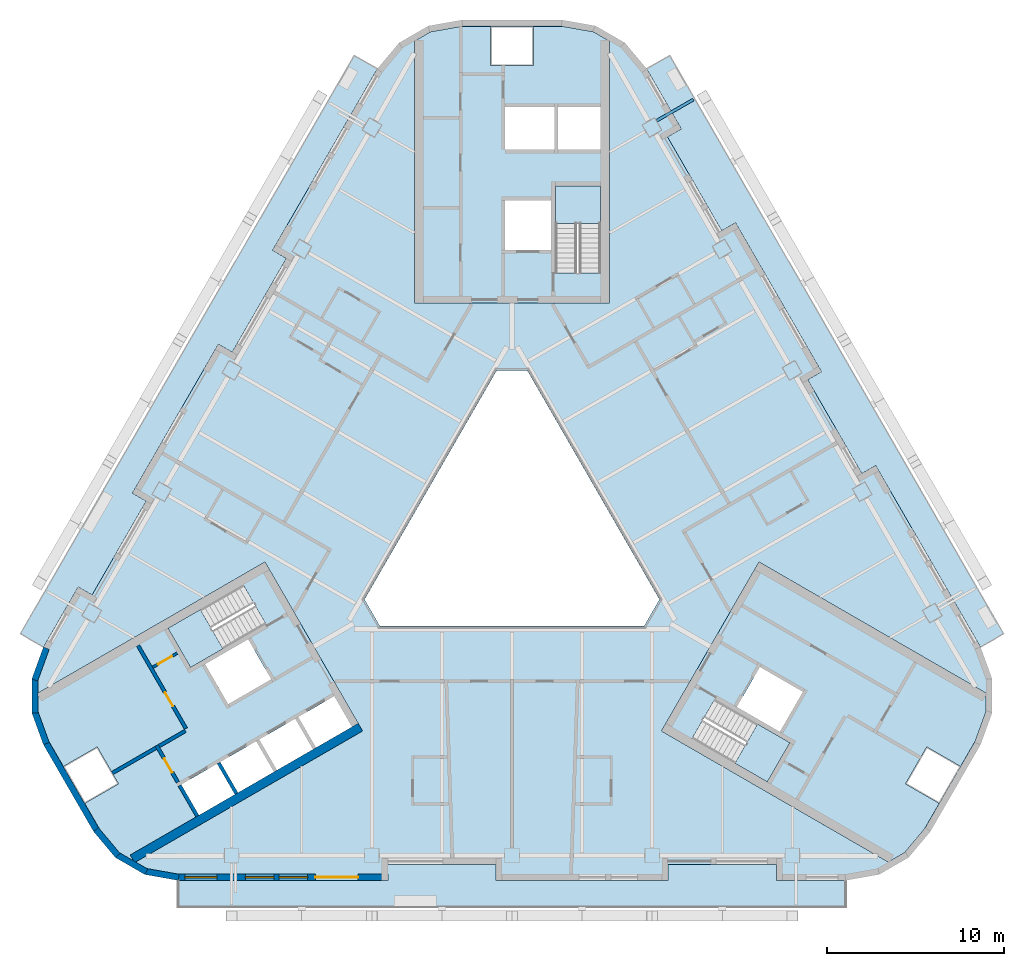
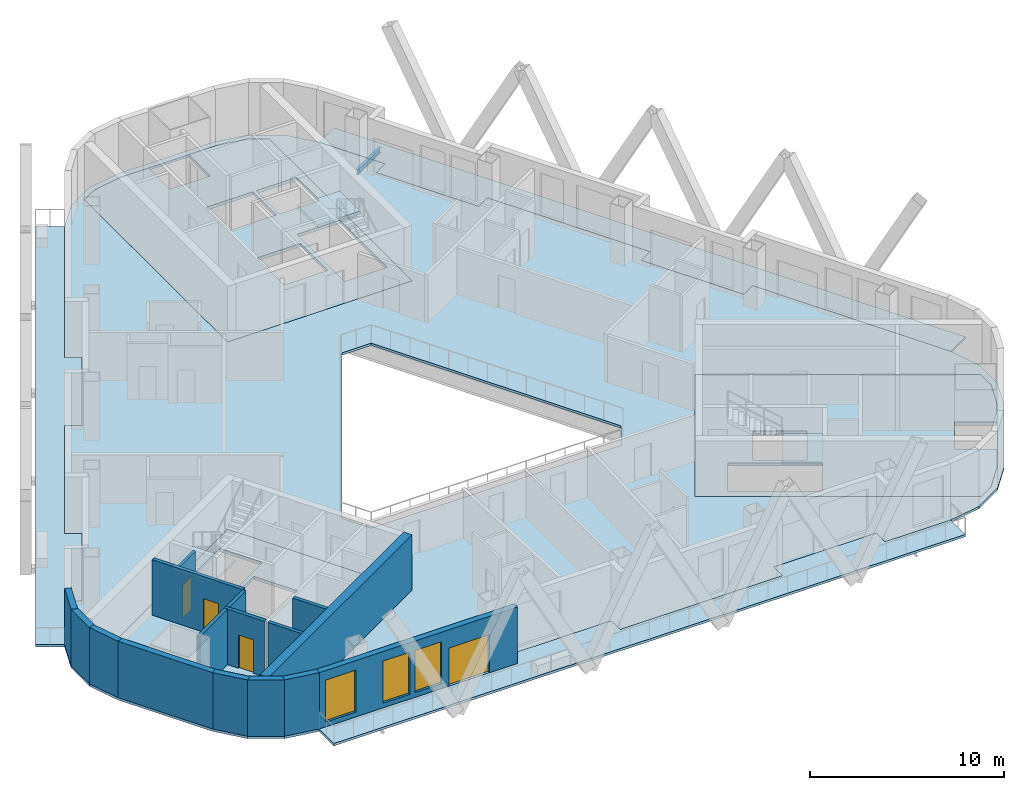
# One storey, part 2 of 13: 16 walls, 10 slabs, 4 doors, 3 windows, 1 beam, 7 openings, 3 elements without a shape of their own.
"""IFC4 building model written with IfcOpenShell, lengths in metres."""

from ifc_helpers import new_model, si_unit, direction, frame, frame_2d, origin, origin_2d, place, context, subcontext, project, spatial, polyline, rectangle, i_section, outline, extrude, material, layer, layer_set, material_profile, profile_set, type_object, element, fill, aggregate, save


model = new_model("IFC4")

# Units and contexts
model_context = context("Model", 3, precision=1e-05, world=origin(), true_north=direction((0.0, 1.0)))
body_context = subcontext(model_context, "Body", "Model", "MODEL_VIEW")
ifc_project = project(units=[si_unit("LENGTHUNIT", "METRE"), si_unit("AREAUNIT", "SQUARE_METRE"), si_unit("VOLUMEUNIT", "CUBIC_METRE"), si_unit("PLANEANGLEUNIT", "RADIAN"), si_unit("MASSUNIT", "GRAM", prefix="KILO")], contexts=[model_context])

# Site, building, storey
site_placement = place(None, origin())
site = spatial("IfcSite", under=ifc_project, at=site_placement, CompositionType="ELEMENT")
building_placement = place(site_placement, origin())
building = spatial("IfcBuilding", under=site, at=building_placement, Name="Apuvela Tower Hotel", CompositionType="ELEMENT")
storey_placement = place(building_placement, frame((0.0, 0.0, 183.60009765625)))
storey = spatial("IfcBuildingStorey", under=building, at=storey_placement, Name="L44", CompositionType="ELEMENT", Elevation=183.60009765625)

# Beam
ifc_material_1 = material(Name="Steel S355", Category="steel")
ifc_material_profile = material_profile(ifc_material_1, i_section(OverallWidth=0.159912109375, OverallDepth=0.330078125, WebThickness=0.007568359375, FlangeThickness=0.011474609375, at=origin_2d()), Name="IPE 330")
ifc_profile_set = profile_set([ifc_material_profile], Name="Steel S355")
beam_type = type_object("IfcBeamType", Name="ENV-BALCONY-BEAM-IPE330", PredefinedType="BEAM", material=ifc_profile_set)
beam_placement = place(storey_placement, frame((8.15576171875, 23.183837890625, -0.315185546875), z_axis=(0.866007538022, 0.500030943131, 0.0), x_axis=(-0.500030943131, 0.866007538022, 0.0)))
element("IfcBeam", 1, at=beam_placement, inside=storey, type_object=beam_type, Name="Balcony cantilever beam NE3 L44", PredefinedType="BEAM", context=body_context, shape_type="SweptSolid", body=[
    extrude(i_section(OverallWidth=0.159912109375, OverallDepth=0.330078125, WebThickness=0.007568359375, FlangeThickness=0.011474609375, at=origin_2d()), origin(), (0.0, 0.0, 1.0), 2.374755859375),
])

# Slabs
ifc_material_2 = material(Name="Concrete C50/60", Category="concrete")
ifc_layer_1 = layer(ifc_material_2, 0.199951171875)
ifc_layer_set_1 = layer_set([ifc_layer_1], Name="COR-FLOOR-200")
slab_type_1 = type_object("IfcSlabType", Name="COR-FLOOR-200", PredefinedType="FLOOR", material=ifc_layer_set_1)
slab_1_placement = place(storey_placement, frame((0.0, 0.0, -0.2001953125)))
element("IfcSlab", 2, at=slab_1_placement, inside=storey, type_object=slab_type_1, Name="Core floor N", PredefinedType="FLOOR", context=body_context, shape_type="SweptSolid", body=[
    extrude(outline(polyline([(5.5, 27.668212890625), (4.588623046875, 28.1943359375), (2.85498046875, 28.5), (1.199951171875, 28.5), (1.199951171875, 26.300048828125), (-1.199951171875, 26.300048828125), (-1.199951171875, 28.5), (-2.85498046875, 28.5), (-4.588623046875, 28.1943359375), (-5.5, 27.668212890625), (-5.5, 12.89990234375), (5.5, 12.89990234375), (5.5, 27.668212890625)]), holes=[polyline([(5.0, 14.60595703125), (2.449951171875, 14.60595703125), (2.449951171875, 19.5), (5.0, 19.5), (5.0, 14.60595703125)]), polyline([(2.199951171875, 15.89990234375), (-0.39990234375, 15.89990234375), (-0.39990234375, 18.699951171875), (2.199951171875, 18.699951171875), (2.199951171875, 15.89990234375)]), polyline([(5.0, 21.550048828125), (2.60009765625, 21.550048828125), (2.60009765625, 23.949951171875), (5.0, 23.949951171875), (5.0, 21.550048828125)]), polyline([(2.39990234375, 21.550048828125), (-0.39990234375, 21.550048828125), (-0.39990234375, 23.949951171875), (2.39990234375, 23.949951171875), (2.39990234375, 21.550048828125)])]), origin(), (0.0, 0.0, 1.0), 0.2001953125),
])
slab_2_placement = place(storey_placement, frame((0.0, 0.0, -0.2001953125)))
element("IfcSlab", 3, at=slab_2_placement, inside=storey, type_object=slab_type_1, Name="Core floor SW", PredefinedType="FLOOR", context=body_context, shape_type="SweptSolid", body=[
    extrude(outline(polyline([(-26.711181640625, -9.07080078125), (-26.711181640625, -10.123291015625), (-26.109375, -11.77734375), (-25.28173828125, -13.210693359375), (-23.37646484375, -12.11083984375), (-22.176513671875, -14.189208984375), (-24.081787109375, -15.289306640625), (-23.254150390625, -16.72265625), (-22.122802734375, -18.071044921875), (-21.211181640625, -18.59716796875), (-8.421630859375, -11.213134765625), (-13.921630859375, -1.68701171875), (-26.711181640625, -9.07080078125)]), holes=[polyline([(-10.01806640625, -9.248046875), (-9.01806640625, -10.97998046875), (-11.044677734375, -12.150146484375), (-12.044677734375, -10.418212890625), (-10.01806640625, -9.248046875)]), polyline([(-14.244384765625, -11.68798828125), (-12.2177734375, -10.51806640625), (-11.2177734375, -12.25), (-13.244384765625, -13.420166015625), (-14.244384765625, -11.68798828125)]), polyline([(-19.387451171875, -5.419921875), (-15.149169921875, -2.972900390625), (-13.874267578125, -5.18115234375), (-18.112548828125, -7.628173828125), (-19.387451171875, -5.419921875)]), polyline([(-14.869873046875, -6.044677734375), (-13.56982421875, -8.29638671875), (-15.99462890625, -9.6962890625), (-17.294677734375, -7.444580078125), (-14.869873046875, -6.044677734375)]), polyline([(-16.444091796875, -12.9580078125), (-14.41748046875, -11.7880859375), (-13.41748046875, -13.52001953125), (-15.444091796875, -14.690185546875), (-16.444091796875, -12.9580078125)]), polyline([(-18.643798828125, -14.22802734375), (-16.6171875, -13.05810546875), (-15.6171875, -14.7900390625), (-17.643798828125, -15.960205078125), (-18.643798828125, -14.22802734375)])]), origin(), (0.0, 0.0, 1.0), 0.2001953125),
])
slab_3_placement = place(storey_placement, frame((0.0, 0.0, -0.2001953125)))
element("IfcSlab", 4, at=slab_3_placement, inside=storey, type_object=slab_type_1, Name="Core floor SE", PredefinedType="FLOOR", context=body_context, shape_type="SweptSolid", body=[
    extrude(outline(polyline([(21.211181640625, -18.59716796875), (22.122802734375, -18.071044921875), (23.254150390625, -16.72265625), (24.081787109375, -15.289306640625), (22.176513671875, -14.189208984375), (23.37646484375, -12.11083984375), (25.28173828125, -13.210693359375), (26.109375, -11.77734375), (26.711181640625, -10.123291015625), (26.711181640625, -9.07080078125), (13.921630859375, -1.68701171875), (8.421630859375, -11.213134765625), (21.211181640625, -18.59716796875)]), holes=[polyline([(11.42431640625, -9.4248046875), (15.66259765625, -11.871826171875), (14.387451171875, -14.080078125), (10.149169921875, -11.633056640625), (11.42431640625, -9.4248046875)]), polyline([(13.9697265625, -7.603515625), (16.394775390625, -9.003662109375), (15.0947265625, -11.25537109375), (12.669921875, -9.855224609375), (13.9697265625, -7.603515625)])]), origin(), (0.0, 0.0, 1.0), 0.2001953125),
])

# Stair, slab
stair_type = type_object("IfcStairType", Name="COR-STAIR-22R", PredefinedType="HALF_TURN_STAIR", material=ifc_material_2)
stair_1_placement = place(storey_placement, origin())
stair_1 = element("IfcStair", 5, at=stair_1_placement, inside=storey, type_object=stair_type, Name="L44 Exit stair ST1", PredefinedType="HALF_TURN_STAIR")
ifc_layer_2 = layer(ifc_material_2, 0.199951171875)
ifc_layer_set_2 = layer_set([ifc_layer_2], Name="COR-LANDING-200")
slab_type_2 = type_object("IfcSlabType", Name="COR-LANDING-200", PredefinedType="LANDING", material=ifc_layer_set_2)
slab_4_placement = place(storey_placement, frame((0.0, 0.0, 1.64990234375)))
slab_4 = element("IfcSlab", 6, at=slab_4_placement, type_object=slab_type_2, Name="ST1 landing 1", PredefinedType="LANDING", context=body_context, shape_type="SweptSolid", body=[
    extrude(outline(polyline([(5.0, 17.39404296875), (5.0, 19.5), (2.449951171875, 19.5), (2.449951171875, 17.39404296875), (5.0, 17.39404296875)])), origin(), (0.0, 0.0, 1.0), 0.199951171875),
])
aggregate(stair_1, [slab_4])

stair_2_placement = place(storey_placement, origin())
stair_2 = element("IfcStair", 7, at=stair_2_placement, inside=storey, type_object=stair_type, Name="L44 Exit stair ST2", PredefinedType="HALF_TURN_STAIR")
slab_5_placement = place(storey_placement, frame((0.0, 0.0, 1.64990234375)))
slab_5 = element("IfcSlab", 8, at=slab_5_placement, type_object=slab_type_2, Name="ST2 landing 1", PredefinedType="LANDING", context=body_context, shape_type="SweptSolid", body=[
    extrude(outline(polyline([(-17.563720703125, -4.366943359375), (-19.387451171875, -5.419921875), (-18.112548828125, -7.628173828125), (-16.28857421875, -6.5751953125), (-17.563720703125, -4.366943359375)])), origin(), (0.0, 0.0, 1.0), 0.199951171875),
])
aggregate(stair_2, [slab_5])

stair_3_placement = place(storey_placement, origin())
stair_3 = element("IfcStair", 9, at=stair_3_placement, inside=storey, type_object=stair_type, Name="L44 Exit stair ST3", PredefinedType="HALF_TURN_STAIR")
slab_6_placement = place(storey_placement, frame((0.0, 0.0, 1.64990234375)))
slab_6 = element("IfcSlab", 10, at=slab_6_placement, type_object=slab_type_2, Name="ST3 landing 1", PredefinedType="LANDING", context=body_context, shape_type="SweptSolid", body=[
    extrude(outline(polyline([(12.563720703125, -13.027099609375), (14.387451171875, -14.080078125), (15.66259765625, -11.871826171875), (13.838623046875, -10.81884765625), (12.563720703125, -13.027099609375)])), origin(), (0.0, 0.0, 1.0), 0.199951171875),
])
aggregate(stair_3, [slab_6])

# Slabs
ifc_material_3 = material(Name="Concrete C40/50, fair-faced", Category="concrete")
ifc_layer_3 = layer(ifc_material_3, 0.14990234375)
ifc_layer_set_3 = layer_set([ifc_layer_3], Name="ENV-BALCONY-150")
slab_type_3 = type_object("IfcSlabType", Name="ENV-BALCONY-150", PredefinedType="FLOOR", material=ifc_layer_set_3)
slab_7_placement = place(storey_placement, frame((0.0, 0.0, -0.150146484375)))
element("IfcSlab", 11, at=slab_7_placement, inside=storey, type_object=slab_type_3, Name="Balcony slab S L44", PredefinedType="FLOOR", context=body_context, shape_type="SweptSolid", body=[
    extrude(outline(polyline([(18.82080078125, -21.135009765625), (-18.82080078125, -21.135009765625), (-18.82080078125, -19.625), (-7.0048828125, -19.625), (-7.0048828125, -18.72509765625), (-0.89501953125, -18.72509765625), (-0.89501953125, -19.625), (8.794921875, -19.625), (8.794921875, -18.72509765625), (14.905029296875, -18.72509765625), (14.905029296875, -19.625), (18.82080078125, -19.625), (18.82080078125, -21.135009765625)])), origin(), (0.0, 0.0, 1.0), 0.150146484375),
])
slab_8_placement = place(storey_placement, frame((0.0, 0.0, -0.150146484375)))
element("IfcSlab", 12, at=slab_8_placement, inside=storey, type_object=slab_type_3, Name="Balcony slab NE L44", PredefinedType="FLOOR", context=body_context, shape_type="SweptSolid", body=[
    extrude(outline(polyline([(17.443359375, 9.037353515625), (12.598388671875, 17.42919921875), (11.81884765625, 16.979248046875), (8.763916015625, 22.2705078125), (9.543212890625, 22.720703125), (7.585205078125, 26.11181640625), (8.89306640625, 26.86669921875), (27.7138671875, -5.731689453125), (26.40625, -6.48681640625), (20.498291015625, 3.74609375), (19.71875, 3.2958984375), (16.663818359375, 8.58740234375), (17.443359375, 9.037353515625)])), origin(), (0.0, 0.0, 1.0), 0.150146484375),
])
slab_9_placement = place(storey_placement, frame((0.0, 0.0, -0.150146484375)))
element("IfcSlab", 13, at=slab_9_placement, inside=storey, type_object=slab_type_3, Name="Balcony slab NW L44", PredefinedType="FLOOR", context=body_context, shape_type="SweptSolid", body=[
    extrude(outline(polyline([(-27.7138671875, -5.731689453125), (-8.89306640625, 26.86669921875), (-7.585205078125, 26.11181640625), (-13.4931640625, 15.87890625), (-12.7138671875, 15.428955078125), (-15.768798828125, 10.1376953125), (-16.548095703125, 10.587646484375), (-21.393310546875, 2.19580078125), (-20.61376953125, 1.745849609375), (-23.668701171875, -3.545654296875), (-24.4482421875, -3.095703125), (-26.40625, -6.48681640625), (-27.7138671875, -5.731689453125)])), origin(), (0.0, 0.0, 1.0), 0.150146484375),
])
ifc_material_4 = material(Name="Concrete C35/45", Category="concrete")
ifc_layer_4 = layer(ifc_material_4, 0.14990234375)
ifc_layer_set_4 = layer_set([ifc_layer_4], Name="STR-SLAB 150 floor Concrete C35/45")
slab_type_4 = type_object("IfcSlabType", Name="STR-SLAB 150 floor Concrete C35/45", PredefinedType="FLOOR", material=ifc_layer_set_4)
slab_10_placement = place(storey_placement, frame((0.0, 0.0, -0.150146484375)))
element("IfcSlab", 14, at=slab_10_placement, inside=storey, type_object=slab_type_4, Name="Floor slab S4 L44", PredefinedType="FLOOR", context=body_context, shape_type="SweptSolid", body=[
    extrude(outline(polyline([(-6.3642578125, 27.5732421875), (-4.710205078125, 28.5283203125), (-2.8291015625, 28.860107421875), (2.8291015625, 28.860107421875), (4.710205078125, 28.5283203125), (6.3642578125, 27.5732421875), (7.59228515625, 26.110107421875), (9.550048828125, 22.71875), (8.770751953125, 22.268798828125), (11.82080078125, 16.986083984375), (12.60009765625, 17.43603515625), (17.4501953125, 9.035400390625), (16.670654296875, 8.58544921875), (19.720703125, 3.302734375), (20.5, 3.752685546875), (26.407958984375, -6.47998046875), (27.061279296875, -8.27490234375), (27.061279296875, -10.18505859375), (26.407958984375, -11.97998046875), (23.5791015625, -16.8798828125), (22.351318359375, -18.34326171875), (20.697021484375, -19.29833984375), (18.81591796875, -19.6298828125), (14.89990234375, -19.6298828125), (14.89990234375, -18.72998046875), (8.800048828125, -18.72998046875), (8.800048828125, -19.6298828125), (-0.89990234375, -19.6298828125), (-0.89990234375, -18.72998046875), (-7.0, -18.72998046875), (-7.0, -19.6298828125), (-18.81591796875, -19.6298828125), (-20.697021484375, -19.29833984375), (-22.351318359375, -18.34326171875), (-23.5791015625, -16.8798828125), (-26.407958984375, -11.97998046875), (-27.061279296875, -10.18505859375), (-27.061279296875, -8.27490234375), (-26.407958984375, -6.47998046875), (-24.4501953125, -3.088623046875), (-23.670654296875, -3.538818359375), (-20.62060546875, 1.743896484375), (-21.400146484375, 2.194091796875), (-16.550048828125, 10.594482421875), (-15.7705078125, 10.14453125), (-12.720703125, 15.42724609375), (-13.5, 15.877197265625), (-7.59228515625, 26.110107421875), (-6.3642578125, 27.5732421875)]), holes=[polyline([(0.865966796875, 9.10009765625), (-0.865966796875, 9.10009765625), (-8.313720703125, -3.800048828125), (-7.44775390625, -5.300048828125), (7.44775390625, -5.300048828125), (8.313720703125, -3.800048828125), (0.865966796875, 9.10009765625)]), polyline([(-5.5, 12.89990234375), (-5.5, 27.668212890625), (-4.588623046875, 28.1943359375), (-2.85498046875, 28.5), (2.85498046875, 28.5), (4.588623046875, 28.1943359375), (5.5, 27.668212890625), (5.5, 12.89990234375), (-5.5, 12.89990234375)]), polyline([(-8.421630859375, -11.213134765625), (-21.211181640625, -18.59716796875), (-22.122802734375, -18.071044921875), (-23.254150390625, -16.72265625), (-26.109375, -11.77734375), (-26.711181640625, -10.123291015625), (-26.711181640625, -9.07080078125), (-13.921630859375, -1.68701171875), (-8.421630859375, -11.213134765625)]), polyline([(13.921630859375, -1.68701171875), (26.711181640625, -9.07080078125), (26.711181640625, -10.123291015625), (26.109375, -11.77734375), (23.254150390625, -16.72265625), (22.122802734375, -18.071044921875), (21.211181640625, -18.59716796875), (8.421630859375, -11.213134765625), (13.921630859375, -1.68701171875)])]), origin(), (0.0, 0.0, 1.0), 0.150146484375),
])

# Wall
ifc_layer_5 = layer(ifc_material_2, 0.5)
ifc_layer_set_5 = layer_set([ifc_layer_5], Name="COR-WALL-CORE-500")
wall_type_1 = type_object("IfcWallType", Name="COR-WALL-CORE-500", PredefinedType="SHEAR", material=ifc_layer_set_5)
wall_1_placement = place(storey_placement, frame((-8.546630859375, -10.99658203125, 0.0), z_axis=(0.0, 0.0, 1.0), x_axis=(-0.866025009528, -0.500000682871, 0.0)))
element("IfcWall", 15, at=wall_1_placement, inside=storey, type_object=wall_type_1, Name="Core wall SW", PredefinedType="SHEAR", context=body_context, shape_type="SweptSolid", body=[
    extrude(rectangle(XDim=14.8369140625, YDim=0.5, at=frame_2d((7.41845703125, 0.0))), origin(), (0.0, 0.0, 1.0), 3.5),
])

# Wall, opening, door
ifc_material_5 = material(Name="Blockwork 150 mm plastered", Category="masonry")
ifc_layer_6 = layer(ifc_material_5, 0.14990234375)
ifc_layer_set_6 = layer_set([ifc_layer_6], Name="COR-WALL-PART-150")
wall_type_2 = type_object("IfcWallType", Name="COR-WALL-PART-150", PredefinedType="PARTITIONING", material=ifc_layer_set_6)
wall_2_placement = place(storey_placement, frame((-18.866455078125, -6.822265625, 0.0), z_axis=(0.0, 0.0, 1.0), x_axis=(-0.866028054938, -0.499995408039, 0.0)))
wall_2 = element("IfcWall", 16, at=wall_2_placement, inside=storey, type_object=wall_type_2, Name="Partition SW", PredefinedType="PARTITIONING", context=body_context, shape_type="SweptSolid", body=[
    extrude(rectangle(XDim=1.60009765625, YDim=0.14990234375, at=frame_2d((0.800048828125, 0.0))), origin(), (0.0, 0.0, 1.0), 3.5),
])
opening_1_placement = place(wall_2_placement, frame((0.35009765625, 0.0, 0.0)))
opening_1 = element("IfcOpeningElement", 17, at=opening_1_placement, cuts=wall_2, Name="Opening W-RD", PredefinedType="OPENING", context=body_context, shape_type="SweptSolid", body=[
    extrude(rectangle(XDim=0.89990234375, YDim=2.10009765625, at=frame_2d((0.449951171875, 1.050048828125))), frame((0.0, 0.0849609375, 0.0), z_axis=(0.0, -1.0, 0.0), x_axis=(1.0, 0.0, 0.0)), (0.0, 0.0, 1.0), 0.169921875),
])
ifc_material_6 = material(Name="Steel access door, powder coated", Category="steel")
door_type_1 = type_object("IfcDoorType", Name="COR-RD-900", OperationType="NOTDEFINED", PredefinedType="DOOR", material=ifc_material_6)
door_1_placement = place(opening_1_placement, frame((0.89990234375, 0.0, 0.0), z_axis=(0.0, 0.0, 1.0), x_axis=(-1.0, 0.0, 0.0)))
door_1 = element("IfcDoor", 18, at=door_1_placement, inside=storey, type_object=door_type_1, Name="Riser door W-RD", OperationType="SINGLE_SWING_RIGHT", OverallHeight=2.10009765625, OverallWidth=0.89990234375, PredefinedType="DOOR", context=body_context, shape_type="SweptSolid", body=[
    extrude(rectangle(XDim=0.89990234375, YDim=2.10009765625, at=frame_2d((0.449951171875, 1.050048828125))), frame((0.0, 0.02490234375, 0.0), z_axis=(0.0, -1.0, 0.0), x_axis=(1.0, 0.0, 0.0)), (0.0, 0.0, 1.0), 0.050048828125),
])
fill(opening_1, door_1)

ifc_material_7 = material(Name="Blockwork 200 mm plastered", Category="masonry")
ifc_layer_7 = layer(ifc_material_7, 0.199951171875)
ifc_layer_set_7 = layer_set([ifc_layer_7], Name="COR-WALL-PART-200")
wall_type_3 = type_object("IfcWallType", Name="COR-WALL-PART-200", PredefinedType="PARTITIONING", material=ifc_layer_set_7)
wall_3_placement = place(storey_placement, frame((-21.076171875, -6.39501953125, 0.0), z_axis=(0.0, 0.0, 1.0), x_axis=(0.50001468107, -0.866016927499, 0.0)))
wall_3 = element("IfcWall", 19, at=wall_3_placement, inside=storey, type_object=wall_type_3, Name="Partition SW", PredefinedType="PARTITIONING", context=body_context, shape_type="SweptSolid", body=[
    extrude(rectangle(XDim=5.399658203125, YDim=0.199951171875, at=frame_2d((2.69970703125, 0.0))), origin(), (0.0, 0.0, 1.0), 3.5),
])
opening_2_placement = place(wall_3_placement, frame((3.050048828125, 0.0, 0.0)))
opening_2 = element("IfcOpeningElement", 20, at=opening_2_placement, cuts=wall_3, Name="Opening W-RS1", PredefinedType="OPENING", context=body_context, shape_type="SweptSolid", body=[
    extrude(rectangle(XDim=0.89990234375, YDim=2.10009765625, at=frame_2d((0.449951171875, 1.050048828125))), frame((0.0, 0.10986328125, 0.0), z_axis=(0.0, -1.0, 0.0), x_axis=(1.0, 0.0, 0.0)), (0.0, 0.0, 1.0), 0.219970703125),
])
ifc_material_8 = material(Name="Steel fire door, powder coated", Category="steel")
door_type_2 = type_object("IfcDoorType", Name="COR-DR-900", OperationType="NOTDEFINED", PredefinedType="DOOR", material=ifc_material_8)
door_2_placement = place(opening_2_placement, frame((0.89990234375, 0.0, 0.0), z_axis=(0.0, 0.0, 1.0), x_axis=(-1.0, 0.0, 0.0)))
door_2 = element("IfcDoor", 21, at=door_2_placement, inside=storey, type_object=door_type_2, Name="Store door W-RS1", OperationType="SINGLE_SWING_LEFT", OverallHeight=2.10009765625, OverallWidth=0.89990234375, PredefinedType="DOOR", context=body_context, shape_type="SweptSolid", body=[
    extrude(rectangle(XDim=0.89990234375, YDim=2.10009765625, at=frame_2d((0.449951171875, 1.050048828125))), frame((0.0, 0.02490234375, 0.0), z_axis=(0.0, -1.0, 0.0), x_axis=(1.0, 0.0, 0.0)), (0.0, 0.0, 1.0), 0.050048828125),
])
fill(opening_2, door_2)

ifc_layer_8 = layer(ifc_material_2, 0.199951171875)
ifc_layer_set_8 = layer_set([ifc_layer_8], Name="COR-WALL-SHAFT-200")
wall_type_4 = type_object("IfcWallType", Name="COR-WALL-SHAFT-200", PredefinedType="SHEAR", material=ifc_layer_set_8)
wall_4_placement = place(storey_placement, frame((-20.030517578125, -12.0263671875, 0.0), z_axis=(0.0, 0.0, 1.0), x_axis=(0.500033551112, -0.866006032174, 0.0)))
wall_4 = element("IfcWall", 22, at=wall_4_placement, inside=storey, type_object=wall_type_4, Name="Shaft wall SW", PredefinedType="SHEAR", context=body_context, shape_type="SweptSolid", body=[
    extrude(rectangle(XDim=2.400146484375, YDim=0.199951171875, at=frame_2d((1.2001953125, 0.0))), origin(), (0.0, 0.0, 1.0), 3.5),
])
opening_3_placement = place(wall_4_placement, frame((0.85009765625, 0.0, 0.0)))
opening_3 = element("IfcOpeningElement", 23, at=opening_3_placement, cuts=wall_4, Name="Opening W-REP", PredefinedType="OPENING", context=body_context, shape_type="SweptSolid", body=[
    extrude(rectangle(XDim=0.89990234375, YDim=2.10009765625, at=frame_2d((0.449951171875, 1.050048828125))), frame((0.0, 0.10986328125, 0.0), z_axis=(0.0, -1.0, 0.0), x_axis=(1.0, 0.0, 0.0)), (0.0, 0.0, 1.0), 0.219970703125),
])
door_3_placement = place(opening_3_placement, frame((0.89990234375, 0.0, 0.0), z_axis=(0.0, 0.0, 1.0), x_axis=(-1.0, 0.0, 0.0)))
door_3 = element("IfcDoor", 24, at=door_3_placement, inside=storey, type_object=door_type_2, Name="Store door W-REP", OperationType="SINGLE_SWING_LEFT", OverallHeight=2.10009765625, OverallWidth=0.89990234375, PredefinedType="DOOR", context=body_context, shape_type="SweptSolid", body=[
    extrude(rectangle(XDim=0.89990234375, YDim=2.10009765625, at=frame_2d((0.449951171875, 1.050048828125))), frame((0.0, 0.02490234375, 0.0), z_axis=(0.0, -1.0, 0.0), x_axis=(1.0, 0.0, 0.0)), (0.0, 0.0, 1.0), 0.050048828125),
])
fill(opening_3, door_3)

# Walls
wall_5_placement = place(storey_placement, frame((-18.412841796875, -11.2080078125, 0.0), z_axis=(0.0, 0.0, 1.0), x_axis=(-0.866038183914, -0.499977863513, 0.0)))
element("IfcWall", 25, at=wall_5_placement, inside=storey, type_object=wall_type_4, Name="Shaft wall SW", PredefinedType="SHEAR", context=body_context, shape_type="SweptSolid", body=[
    extrude(rectangle(XDim=1.7099609375, YDim=0.199951171875, at=frame_2d((0.85498046875, 0.0))), origin(), (0.0, 0.0, 1.0), 3.5),
])
for number, where, z_axis, x_axis, name in (
    (26, (-16.530517578125, -13.008056640625, 0.0), (0.0, 0.0, 1.0), (0.50002537861, -0.866010750942, 0.0), "Shaft wall SW"),
    (27, (-18.73046875, -14.278076171875, 0.0), (0.0, 0.0, 1.0), (0.50002537861, -0.866010750942, 0.0), "Shaft wall SW"),
):
    element("IfcWall", number, at=place(storey_placement, frame(where, z_axis=z_axis, x_axis=x_axis)), inside=storey, type_object=wall_type_4, Name=name, PredefinedType="SHEAR", context=body_context, shape_type="SweptSolid", body=[
        extrude(rectangle(XDim=2.0, YDim=0.199951171875, at=frame_2d((1.0, 0.0))), origin(), (0.0, 0.0, 1.0), 3.5),
    ])
wall_6_placement = place(storey_placement, frame((-20.06689453125, -12.1630859375, 0.0), z_axis=(0.0, 0.0, 1.0), x_axis=(-0.866055327414, -0.49994816717, 0.0)))
element("IfcWall", 28, at=wall_6_placement, inside=storey, type_object=wall_type_4, Name="Shaft wall SW", PredefinedType="SHEAR", context=body_context, shape_type="SweptSolid", body=[
    extrude(rectangle(XDim=2.840087890625, YDim=0.199951171875, at=frame_2d((1.419921875, 0.0))), origin(), (0.0, 0.0, 1.0), 3.5),
])
ifc_material_9 = material(Name="Concrete C40/50, dark pigmented precast panel", Category="concrete")
ifc_layer_9 = layer(ifc_material_9, 0.35009765625)
ifc_layer_set_9 = layer_set([ifc_layer_9], Name="ENV-WALL-350")
wall_type_5 = type_object("IfcWallType", Name="ENV-WALL-350", PredefinedType="SOLIDWALL", material=ifc_layer_set_9)
for number, where, z_axis, x_axis, name in (
    (29, (-26.24365234375, -6.539794921875, 0.0), (0.0, 0.0, 1.0), (-0.342030395486, -0.939688889242, 0.0), "External wall L44-10"),
    (30, (-26.88623046875, -8.27490234375, 0.0), (0.0, 0.0, 1.0), (0.0, -1.0, 0.0), "External wall L44-11"),
    (31, (-26.89697265625, -10.125244140625, 0.0), (0.0, 0.0, 1.0), (0.342030395486, -0.939688889242, 0.0), "External wall L44-12"),
):
    element("IfcWall", number, at=place(storey_placement, frame(where, z_axis=z_axis, x_axis=x_axis)), inside=storey, type_object=wall_type_5, Name=name, PredefinedType="SOLIDWALL", context=body_context, shape_type="SweptSolid", body=[
        extrude(rectangle(XDim=1.91015625, YDim=0.35009765625, at=frame_2d((0.955078125, 0.0))), origin(), (0.0, 0.0, 1.0), 3.5498046875),
    ])
wall_7_placement = place(storey_placement, frame((-26.256591796875, -11.892578125, 0.0), z_axis=(0.0, 0.0, 1.0), x_axis=(0.500018773155, -0.866014564827, 0.0)))
element("IfcWall", 32, at=wall_7_placement, inside=storey, type_object=wall_type_5, Name="External wall L44-13", PredefinedType="SOLIDWALL", context=body_context, shape_type="SweptSolid", body=[
    extrude(rectangle(XDim=5.657958984375, YDim=0.35009765625, at=frame_2d((2.8291015625, 0.0))), origin(), (0.0, 0.0, 1.0), 3.5498046875),
])
for number, where, z_axis, x_axis, name in (
    (33, (-23.44482421875, -16.767578125, 0.0), (0.0, 0.0, 1.0), (0.642733291068, -0.76609001857, 0.0), "External wall L44-14"),
    (34, (-22.263671875, -18.191650390625, 0.0), (0.0, 0.0, 1.0), (0.866000389056, -0.500043324278, 0.0), "External wall L44-15"),
):
    element("IfcWall", number, at=place(storey_placement, frame(where, z_axis=z_axis, x_axis=x_axis)), inside=storey, type_object=wall_type_5, Name=name, PredefinedType="SOLIDWALL", context=body_context, shape_type="SweptSolid", body=[
        extrude(rectangle(XDim=1.909912109375, YDim=0.35009765625, at=frame_2d((0.955078125, 0.0))), origin(), (0.0, 0.0, 1.0), 3.5498046875),
    ])
wall_8_placement = place(storey_placement, frame((-20.66650390625, -19.1259765625, 0.0), z_axis=(0.0, 0.0, 1.0), x_axis=(0.984798995425, -0.173697837091, 0.0)))
element("IfcWall", 35, at=wall_8_placement, inside=storey, type_object=wall_type_5, Name="External wall L44-16", PredefinedType="SOLIDWALL", context=body_context, shape_type="SweptSolid", body=[
    extrude(rectangle(XDim=1.91015625, YDim=0.35009765625, at=frame_2d((0.955078125, 0.0))), origin(), (0.0, 0.0, 1.0), 3.5498046875),
])

# Wall, openings, door, windows
wall_9_placement = place(storey_placement, frame((-18.81591796875, -19.455078125, 0.0), z_axis=(0.0, 0.0, 1.0), x_axis=(1.0, 0.0, 0.0)))
wall_9 = element("IfcWall", 36, at=wall_9_placement, inside=storey, type_object=wall_type_5, Name="External wall L44-17", PredefinedType="SOLIDWALL", context=body_context, shape_type="SweptSolid", body=[
    extrude(rectangle(XDim=11.81591796875, YDim=0.35009765625, at=frame_2d((5.907958984375, 0.0))), origin(), (0.0, 0.0, 1.0), 3.5498046875),
])
opening_4_placement = place(wall_9_placement, frame((0.380615234375, 0.0, 0.300048828125)))
opening_4 = element("IfcOpeningElement", 37, at=opening_4_placement, cuts=wall_9, Name="Opening WN18", PredefinedType="OPENING", context=body_context, shape_type="SweptSolid", body=[
    extrude(rectangle(XDim=1.800048828125, YDim=2.64990234375, at=frame_2d((0.89990234375, 1.324951171875))), frame((0.0, 0.18505859375, 0.0), z_axis=(0.0, -1.0, 0.0), x_axis=(1.0, 0.0, 0.0)), (0.0, 0.0, 1.0), 0.3701171875),
])
opening_5_placement = place(wall_9_placement, frame((7.740478515625, 0.0, 0.0)))
opening_5 = element("IfcOpeningElement", 38, at=opening_5_placement, cuts=wall_9, Name="Opening BD24", PredefinedType="OPENING", context=body_context, shape_type="SweptSolid", body=[
    extrude(rectangle(XDim=2.39990234375, YDim=2.39990234375, at=frame_2d((1.199951171875, 1.199951171875))), frame((0.0, 0.18505859375, 0.0), z_axis=(0.0, -1.0, 0.0), x_axis=(1.0, 0.0, 0.0)), (0.0, 0.0, 1.0), 0.3701171875),
])
opening_6_placement = place(wall_9_placement, frame((3.790771484375, 0.0, 0.300048828125)))
opening_6 = element("IfcOpeningElement", 39, at=opening_6_placement, cuts=wall_9, Name="Opening WN16", PredefinedType="OPENING", context=body_context, shape_type="SweptSolid", body=[
    extrude(rectangle(XDim=1.60009765625, YDim=2.64990234375, at=frame_2d((0.800048828125, 1.324951171875))), frame((0.0, 0.18505859375, 0.0), z_axis=(0.0, -1.0, 0.0), x_axis=(1.0, 0.0, 0.0)), (0.0, 0.0, 1.0), 0.3701171875),
])
opening_7_placement = place(wall_9_placement, frame((5.69091796875, 0.0, 0.300048828125)))
opening_7 = element("IfcOpeningElement", 40, at=opening_7_placement, cuts=wall_9, Name="Opening WN16", PredefinedType="OPENING", context=body_context, shape_type="SweptSolid", body=[
    extrude(rectangle(XDim=1.60009765625, YDim=2.64990234375, at=frame_2d((0.800048828125, 1.324951171875))), frame((0.0, 0.18505859375, 0.0), z_axis=(0.0, -1.0, 0.0), x_axis=(1.0, 0.0, 0.0)), (0.0, 0.0, 1.0), 0.3701171875),
])
ifc_material_10 = material(Name="Aluminium 6063-T6, dark bronze anodised frame with dark tinted laminated glass", Category="aluminium")
door_type_3 = type_object("IfcDoorType", Name="ENV-DOOR-BALCONY-2400x2400", OperationType="SLIDING_TO_LEFT", PredefinedType="DOOR", material=ifc_material_10)
door_4_placement = place(opening_5_placement, frame((2.39990234375, 0.0, 0.0), z_axis=(0.0, 0.0, 1.0), x_axis=(-1.0, 0.0, 0.0)))
door_4 = element("IfcDoor", 41, at=door_4_placement, inside=storey, type_object=door_type_3, Name="Balcony door BD24", OperationType="SLIDING_TO_LEFT", OverallHeight=2.39990234375, OverallWidth=2.39990234375, PredefinedType="DOOR", context=body_context, shape_type="SweptSolid", body=[
    extrude(rectangle(XDim=2.39990234375, YDim=2.39990234375, at=frame_2d((1.199951171875, 1.199951171875))), frame((0.0, 0.02490234375, 0.0), z_axis=(0.0, -1.0, 0.0), x_axis=(1.0, 0.0, 0.0)), (0.0, 0.0, 1.0), 0.050048828125),
])
fill(opening_5, door_4)
ifc_material_11 = material(Name="Glass, dark tinted laminated insulated glazing unit", Category="glass")
window_type_1 = type_object("IfcWindowType", Name="ENV-WIN-1600x2650", PartitioningType="SINGLE_PANEL", PredefinedType="WINDOW", material=ifc_material_11)
window_1_placement = place(opening_6_placement, origin())
window_1 = element("IfcWindow", 42, at=window_1_placement, inside=storey, type_object=window_type_1, Name="Window WN16", OverallHeight=2.64990234375, OverallWidth=1.60009765625, PartitioningType="SINGLE_PANEL", PredefinedType="WINDOW", context=body_context, shape_type="SweptSolid", body=[
    extrude(rectangle(XDim=1.60009765625, YDim=2.64990234375, at=frame_2d((0.800048828125, 1.324951171875))), frame((0.0, 0.030029296875, 0.0), z_axis=(0.0, -1.0, 0.0), x_axis=(1.0, 0.0, 0.0)), (0.0, 0.0, 1.0), 0.06005859375),
])
fill(opening_6, window_1)
window_2_placement = place(opening_7_placement, origin())
window_2 = element("IfcWindow", 43, at=window_2_placement, inside=storey, type_object=window_type_1, Name="Window WN16", OverallHeight=2.64990234375, OverallWidth=1.60009765625, PartitioningType="SINGLE_PANEL", PredefinedType="WINDOW", context=body_context, shape_type="SweptSolid", body=[
    extrude(rectangle(XDim=1.60009765625, YDim=2.64990234375, at=frame_2d((0.800048828125, 1.324951171875))), frame((0.0, 0.030029296875, 0.0), z_axis=(0.0, -1.0, 0.0), x_axis=(1.0, 0.0, 0.0)), (0.0, 0.0, 1.0), 0.06005859375),
])
fill(opening_7, window_2)
window_type_2 = type_object("IfcWindowType", Name="ENV-WIN-1800x2650", PartitioningType="SINGLE_PANEL", PredefinedType="WINDOW", material=ifc_material_11)
window_3_placement = place(opening_4_placement, origin())
window_3 = element("IfcWindow", 44, at=window_3_placement, inside=storey, type_object=window_type_2, Name="Window WN18", OverallHeight=2.64990234375, OverallWidth=1.800048828125, PartitioningType="SINGLE_PANEL", PredefinedType="WINDOW", context=body_context, shape_type="SweptSolid", body=[
    extrude(rectangle(XDim=1.800048828125, YDim=2.64990234375, at=frame_2d((0.89990234375, 1.324951171875))), frame((0.0, 0.030029296875, 0.0), z_axis=(0.0, -1.0, 0.0), x_axis=(1.0, 0.0, 0.0)), (0.0, 0.0, 1.0), 0.06005859375),
])
fill(opening_4, window_3)

save(model, "model.ifc")
